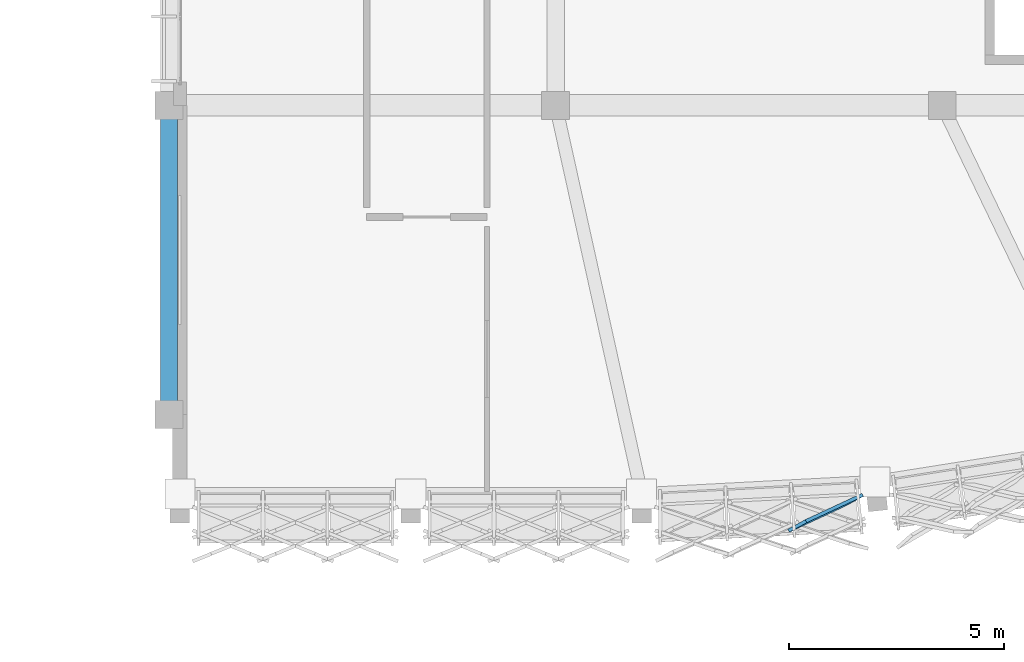
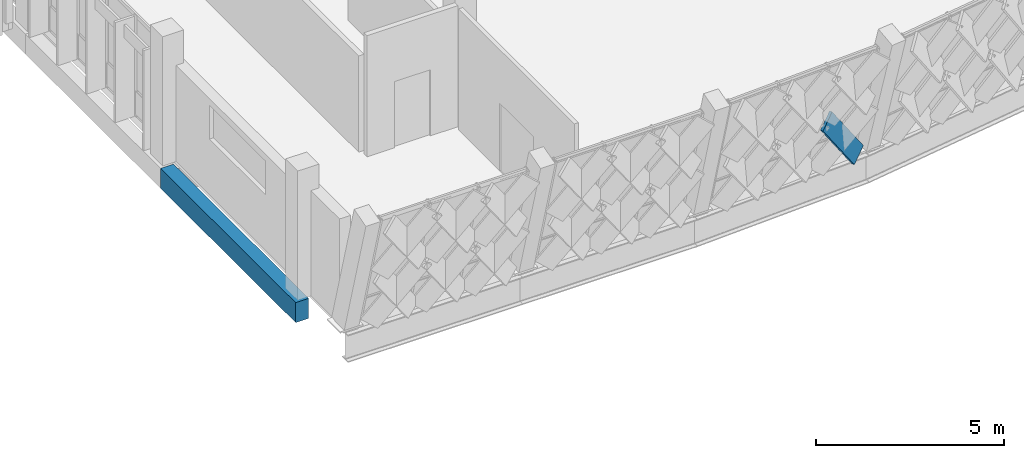
# One storey, part 51 of 182: 1 beam, 1 member, 1 element without a shape of its own.
"""IFC4 building model written with IfcOpenShell, lengths in metres."""

import ifcopenshell
import ifcopenshell.guid

model = None  # the IFC model being written
_history = None  # IfcOwnerHistory: only IFC2X3 demands one
_inside = {}  # id of a spatial element -> (the spatial element, [elements in it])
_under = {}  # id of a project, library or spatial element -> (it, [spatial elements below it])
_declared = {}  # id of a project -> (the project, [libraries it declares])
_typed = {}  # id of a type object -> (the type object, [elements of that type])
_made_of = {}  # id of a material, layer set ... -> (it, [elements and type objects made of it])


def new_model(schema):
    """Start an empty IFC model of exactly this schema.

    Asked for "IFC4X3", IfcOpenShell would pick the latest addendum, in which some entities
    have other attributes; the version numbers below select the first issue.
    IFC2X3 requires an IfcOwnerHistory on every rooted entity: one is made here for all.
    """
    global model, _history
    if schema == "IFC4X3":
        model = ifcopenshell.file(schema_version=(4, 3, 0, 0))
    else:
        model = ifcopenshell.file(schema=schema)
    _inside.clear()
    _under.clear()
    _declared.clear()
    _typed.clear()
    _made_of.clear()
    _history = None
    if model.schema == "IFC2X3":
        org = make("IfcOrganization", Name="unknown")
        user = make(
            "IfcPersonAndOrganization",
            ThePerson=make("IfcPerson", FamilyName="unknown"),
            TheOrganization=org,
        )
        app = make(
            "IfcApplication",
            ApplicationDeveloper=org,
            Version="unknown",
            ApplicationFullName="unknown",
            ApplicationIdentifier="unknown",
        )
        _history = make(
            "IfcOwnerHistory",
            OwningUser=user,
            OwningApplication=app,
            ChangeAction="ADDED",
            CreationDate=0,
        )
    return model


def make(cls, **values):
    """One entity of the class cls with the attributes given. An attribute that is None is left unset."""
    return model.create_entity(
        cls, **{name: value for name, value in values.items() if value is not None}
    )


def rooted(cls, **values):
    """An entity with a GlobalId (a new one), such as an element, a storey or a relation."""
    return make(cls, GlobalId=ifcopenshell.guid.new(), OwnerHistory=_history, **values)


def si_unit(unit_type, name, prefix=None):
    """IfcSIUnit, for example si_unit("LENGTHUNIT", "METRE", prefix="MILLI")."""
    return make("IfcSIUnit", UnitType=unit_type, Prefix=prefix, Name=name)


def assignment(units):
    """IfcUnitAssignment: the units of a project."""
    return None if units is None else make("IfcUnitAssignment", Units=units)


def point(xyz):
    """IfcCartesianPoint."""
    return None if xyz is None else make("IfcCartesianPoint", Coordinates=xyz)


def direction(xyz):
    """IfcDirection."""
    return None if xyz is None else make("IfcDirection", DirectionRatios=xyz)


def frame(location, z_axis=None, x_axis=None):
    """IfcAxis2Placement3D, a coordinate frame: its origin and axes. An axis left out is left unset."""
    return make(
        "IfcAxis2Placement3D",
        Location=point(location),
        Axis=direction(z_axis),
        RefDirection=direction(x_axis),
    )


def frame_2d(location, x_axis=None):
    """IfcAxis2Placement2D, a coordinate frame in the plane: its origin and x axis."""
    return make(
        "IfcAxis2Placement2D", Location=point(location), RefDirection=direction(x_axis)
    )


def origin():
    """The frame at (0, 0, 0) with its axes left unset."""
    return frame((0.0, 0.0, 0.0))


def origin_2d():
    """The frame at (0, 0) in the plane with its x axis left unset."""
    return frame_2d((0.0, 0.0))


def place(relative_to, where):
    """IfcLocalPlacement: puts the frame where relative to a parent placement (None: the world)."""
    return make(
        "IfcLocalPlacement", PlacementRelTo=relative_to, RelativePlacement=where
    )


def context(
    kind, dimensions, precision=None, world=None, true_north=None, identifier=None
):
    """IfcGeometricRepresentationContext, for example the 3D "Model" context."""
    return make(
        "IfcGeometricRepresentationContext",
        ContextIdentifier=identifier,
        ContextType=kind,
        CoordinateSpaceDimension=dimensions,
        Precision=precision,
        WorldCoordinateSystem=world,
        TrueNorth=true_north,
    )


def subcontext(parent, identifier, kind, view, scale=None):
    """IfcGeometricRepresentationSubContext, for example "Body" below "Model"."""
    return make(
        "IfcGeometricRepresentationSubContext",
        ContextIdentifier=identifier,
        ContextType=kind,
        ParentContext=parent,
        TargetScale=scale,
        TargetView=view,
    )


def project(units=None, contexts=None):
    """IfcProject with its units and contexts."""
    return rooted(
        "IfcProject",
        Name="project",
        RepresentationContexts=contexts,
        UnitsInContext=assignment(units),
    )


def spatial(cls, under=None, at=None, **own):
    """A site, building, storey or space (cls), placed at a placement, below another one or the project."""
    s = rooted(cls, ObjectPlacement=at, **own)
    if under is not None:
        _under.setdefault(under.id(), (under, []))[1].append(s)
    return s


def profile(cls, at=None, kind="AREA", **sizes):
    """A parametric profile (cls). Its sizes go by their IFC names, for example OverallWidth=200.0."""
    return make(cls, ProfileType=kind, Position=at, **sizes)


def rectangle(**sizes):
    """IfcRectangleProfileDef."""
    return profile("IfcRectangleProfileDef", **sizes)


def extrude(swept, where, along, depth):
    """IfcExtrudedAreaSolid: the profile swept, set in the frame where, extruded along a direction by depth."""
    return make(
        "IfcExtrudedAreaSolid",
        SweptArea=swept,
        Position=where,
        ExtrudedDirection=direction(along),
        Depth=depth,
    )


def shape(context_of_items, identifier, shape_type, items):
    """IfcShapeRepresentation: the items that make up one representation, for example the "Body"."""
    return make(
        "IfcShapeRepresentation",
        ContextOfItems=context_of_items,
        RepresentationIdentifier=identifier,
        RepresentationType=shape_type,
        Items=items,
    )


def material(Name=None, Category=None):
    """IfcMaterial."""
    return make("IfcMaterial", Name=Name, Category=Category)


def material_profile(
    of_material, cross_section, Name=None, Category=None, Priority=None
):
    """IfcMaterialProfile: a cross section and its material."""
    return make(
        "IfcMaterialProfile",
        Name=Name,
        Material=of_material,
        Profile=cross_section,
        Priority=Priority,
        Category=Category,
    )


def profile_set(profiles, Name=None, composite=None):
    """IfcMaterialProfileSet."""
    return make(
        "IfcMaterialProfileSet",
        Name=Name,
        MaterialProfiles=profiles,
        CompositeProfile=composite,
    )


def made_of(thing, what):
    """Note that an element or type object is made of a material, layer set ...; save() writes the relation."""
    if what is not None:
        _made_of.setdefault(what.id(), (what, []))[1].append(thing)
    return thing


def type_object(cls, material=None, **own):
    """A type object (cls), such as IfcWallType, which elements share."""
    return made_of(rooted(cls, **own), material)


def element(
    cls,
    number,
    at=None,
    inside=None,
    cuts=None,
    type_object=None,
    material=None,
    context=None,
    identifier="Body",
    shape_type=None,
    held_by="IfcProductDefinitionShape",
    body=None,
    shapes=None,
    **own,
):
    """One element of the class cls, such as IfcWall. Its Tag is "e" and its number.

    at: its placement. inside: the storey or other place that contains it. cuts: it is an
    opening in that element (IfcRelVoidsElement). A single representation is given by context,
    identifier, shape_type and body (its items); several are given by shapes. held_by: the class
    of the entity that holds the representations. save() writes the other relations.
    """
    e = rooted(cls, Tag="e%d" % number, ObjectPlacement=at, **own)
    if body is not None:
        shapes = [shape(context, identifier, shape_type, body)]
    if shapes is not None:
        e.Representation = make(held_by, Representations=shapes)
    if inside is not None:
        _inside.setdefault(inside.id(), (inside, []))[1].append(e)
    if cuts is not None:
        rooted(
            "IfcRelVoidsElement", RelatingBuildingElement=cuts, RelatedOpeningElement=e
        )
    if type_object is not None:
        _typed.setdefault(type_object.id(), (type_object, []))[1].append(e)
    return made_of(e, material)


def aggregate(whole, parts):
    """IfcRelAggregates: a whole, such as a stair, and the parts it consists of."""
    return rooted("IfcRelAggregates", RelatingObject=whole, RelatedObjects=parts)


def save(model, path):
    """Write the relations noted so far, then the file.

    IfcRelAggregates (storeys below a building ...), IfcRelContainedInSpatialStructure (elements
    in a storey), IfcRelDefinesByType, IfcRelAssociatesMaterial and IfcRelDeclares: one each for
    every whole, place, type object, material and project.
    """
    for whole, parts in _under.values():
        aggregate(whole, parts)
    for where, things in _inside.values():
        rooted(
            "IfcRelContainedInSpatialStructure",
            RelatedElements=things,
            RelatingStructure=where,
        )
    for kind, things in _typed.values():
        rooted("IfcRelDefinesByType", RelatedObjects=things, RelatingType=kind)
    for what, things in _made_of.values():
        rooted("IfcRelAssociatesMaterial", RelatedObjects=things, RelatingMaterial=what)
    for by, libraries in _declared.values():
        rooted("IfcRelDeclares", RelatingContext=by, RelatedDefinitions=libraries)
    model.write(path)


model = new_model("IFC4")

# Units and contexts
model_context = context("Model", 3, precision=1e-05, world=origin(), true_north=direction((0.0, 1.0)))
body_context = subcontext(model_context, "Body", "Model", "MODEL_VIEW")
ifc_project = project(units=[si_unit("LENGTHUNIT", "METRE"), si_unit("AREAUNIT", "SQUARE_METRE"), si_unit("VOLUMEUNIT", "CUBIC_METRE"), si_unit("PLANEANGLEUNIT", "RADIAN"), si_unit("MASSUNIT", "GRAM", prefix="KILO")], contexts=[model_context])

# Site, building, storey
site_placement = place(None, origin())
site = spatial("IfcSite", under=ifc_project, at=site_placement, CompositionType="ELEMENT")
building_placement = place(site_placement, origin())
building = spatial("IfcBuilding", under=site, at=building_placement, Name="Chiffa Square Polytechnic", CompositionType="ELEMENT")
storey_placement = place(building_placement, frame((0.0, 0.0, 9.60009765625)))
storey = spatial("IfcBuildingStorey", under=building, at=storey_placement, Name="L02", CompositionType="ELEMENT", Elevation=9.60009765625)

# Beam
ifc_material_1 = material(Name="Concrete C35/45", Category="concrete")
ifc_material_profile_1 = material_profile(ifc_material_1, rectangle(XDim=0.39990234375, YDim=0.64990234375, at=origin_2d()), Name="RC 400x650")
ifc_profile_set_1 = profile_set([ifc_material_profile_1], Name="Concrete C35/45")
beam_type = type_object("IfcBeamType", Name="BM-RC-400X650", PredefinedType="BEAM", material=ifc_profile_set_1)
beam_placement = place(storey_placement, frame((112.199951171875, 7.199951171875, -0.64501953125), z_axis=(0.0, 1.0, 0.0), x_axis=(-1.0, 0.0, 0.0)))
element("IfcBeam", 1, at=beam_placement, inside=storey, type_object=beam_type, Name="Primary floor girder BM-V1-L02-Y-1122-0072", PredefinedType="BEAM", context=body_context, shape_type="SweptSolid", body=[
    extrude(rectangle(XDim=0.39990234375, YDim=0.64990234375, at=origin_2d()), origin(), (0.0, 0.0, 1.0), 7.199951171875),
])

# Curtain wall, member
ifc_material_2 = material(Name="Aluminium EN AW-6060 T66 and glulam shading", Category="wood")
curtain_wall_type = type_object("IfcCurtainWallType", Name="CW-PROW-LEAN-150", PredefinedType="USERDEFINED", material=ifc_material_2)
curtain_wall_placement = place(storey_placement, origin())
curtain_wall = element("IfcCurtainWall", 2, at=curtain_wall_placement, inside=storey, type_object=curtain_wall_type, Name="Outward-leaning diamond-fin prow curtain wall CW-V1-L02-029", ObjectType="CURTAIN WALL", PredefinedType="USERDEFINED")
ifc_material_3 = material(Name="Glulam GL28h", Category="wood")
ifc_material_profile_2 = material_profile(ifc_material_3, rectangle(XDim=0.080078125, YDim=0.580078125, at=origin_2d()), Name="GL28h 80x580")
ifc_profile_set_2 = profile_set([ifc_material_profile_2], Name="Glulam GL28h")
member_type = type_object("IfcMemberType", Name="CWM-GL-80X580", PredefinedType="MULLION", material=ifc_profile_set_2)
member_placement = place(storey_placement, frame((128.14306640625, 5.221923828125, 0.039794921875), z_axis=(-0.545666816995, -0.25440213067, 0.798453054814), x_axis=(0.459849592072, -0.887437615233, 0.031509232633)))
member = element("IfcMember", 3, at=member_placement, type_object=member_type, Name="Diamond glulam fin CW-V1-L02-029-DF05B", PredefinedType="MULLION", context=body_context, shape_type="SweptSolid", body=[
    extrude(rectangle(XDim=0.080078125, YDim=0.580078125, at=origin_2d()), origin(), (0.0, 0.0, 1.0), 2.41748046875),
])
aggregate(curtain_wall, [member])

save(model, "model.ifc")
